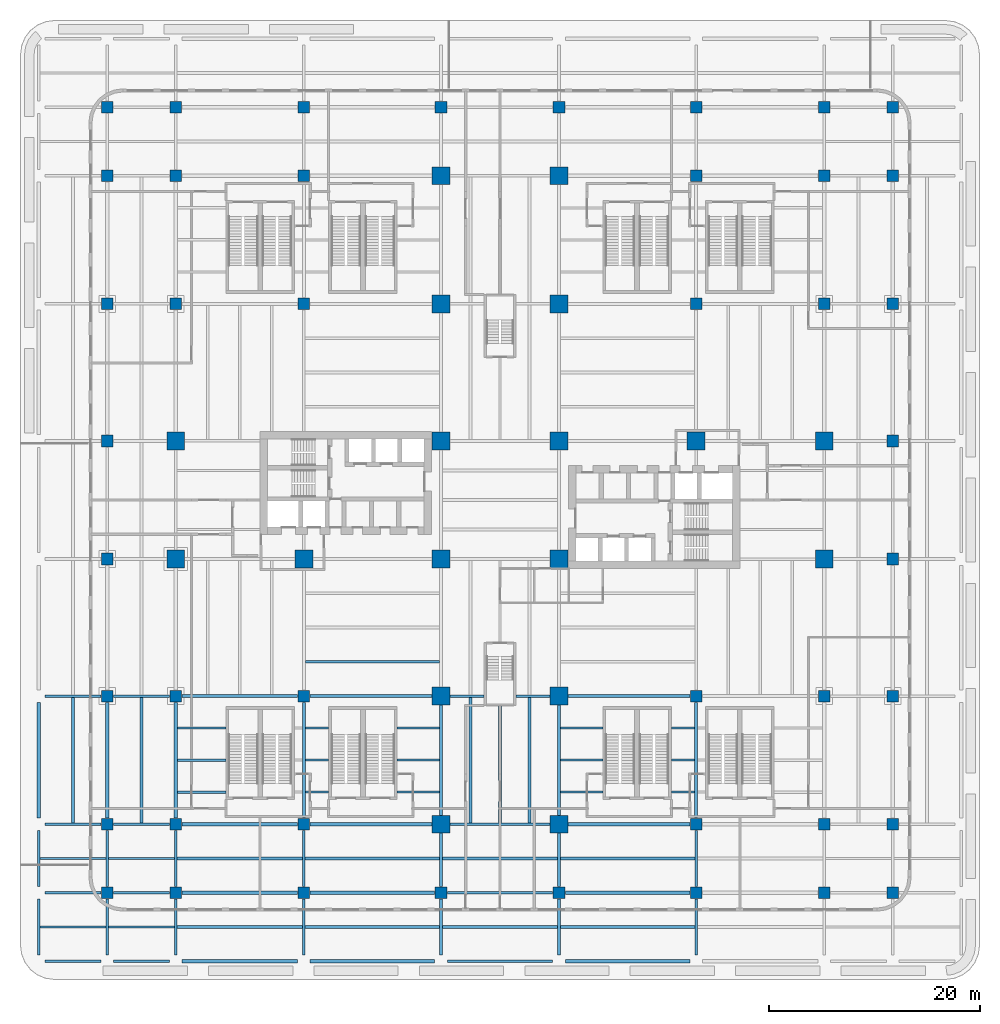
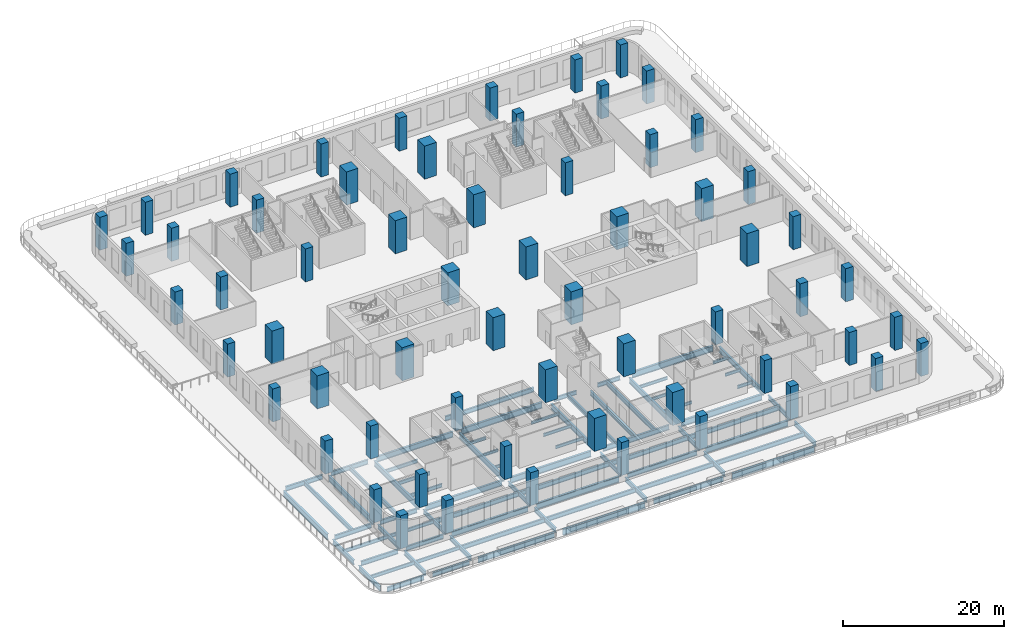
# One storey, part 1 of 18: 79 beams, 62 columns.
"""IFC4 building model written with IfcOpenShell, lengths in metres."""

from ifc_helpers import new_model, si_unit, direction, frame, origin, origin_2d, place, context, subcontext, project, spatial, rectangle, i_section, extrude, source, transform, mapped, material, material_profile, profile_set, type_object, element, save


model = new_model("IFC4")

# Units and contexts
model_context = context("Model", 3, precision=1e-05, world=origin(), true_north=direction((0.0, 1.0)))
body_context = subcontext(model_context, "Body", "Model", "MODEL_VIEW")
ifc_project = project(units=[si_unit("LENGTHUNIT", "METRE"), si_unit("AREAUNIT", "SQUARE_METRE"), si_unit("VOLUMEUNIT", "CUBIC_METRE"), si_unit("PLANEANGLEUNIT", "RADIAN"), si_unit("MASSUNIT", "GRAM", prefix="KILO")], contexts=[model_context])

# Site, building, storey
site_placement = place(None, origin())
site = spatial("IfcSite", under=ifc_project, at=site_placement, CompositionType="ELEMENT")
building_placement = place(site_placement, origin())
building = spatial("IfcBuilding", under=site, at=building_placement, Name="Trellis Farm Tower", CompositionType="ELEMENT")
storey_placement = place(building_placement, frame((0.0, 0.0, 14.0)))
storey = spatial("IfcBuildingStorey", under=building, at=storey_placement, Name="L02", CompositionType="ELEMENT", Elevation=14.0)

# Columns
ifc_material_1 = material(Name="Concrete C80/95", Category="concrete")
ifc_material_profile_1 = material_profile(ifc_material_1, rectangle(XDim=1.699951171875, YDim=1.699951171875, at=origin_2d()), Name="RC column 1700x1700 C80/95")
ifc_profile_set_1 = profile_set([ifc_material_profile_1], Name="Concrete C80/95")
column_type_1 = type_object("IfcColumnType", Name="RC column 1700x1700 C80/95", PredefinedType="COLUMN", material=ifc_profile_set_1)
shared_shape_1 = source(origin(), body_context, "Body", "SweptSolid", [
    extrude(rectangle(XDim=1.699951171875, YDim=1.699951171875, at=origin_2d()), origin(), (0.0, 0.0, 1.0), 5.0),
])
for number, where, z_axis, x_axis, name in (
    (1, (5.60009765625, 5.60009765625, 0.0), (0.0, 0.0, 1.0), (1.0, 0.0, 0.0), "Column"),
    (2, (5.60009765625, 18.60009765625, 0.0), (0.0, 0.0, 1.0), (1.0, 0.0, 0.0), "Column"),
    (3, (5.60009765625, 30.75, 0.0), (0.0, 0.0, 1.0), (1.0, 0.0, 0.0), "Column"),
    (4, (5.60009765625, -5.60009765625, 0.0), (0.0, 0.0, 1.0), (1.0, 0.0, 0.0), "Column"),
    (5, (5.60009765625, -18.60009765625, 0.0), (0.0, 0.0, 1.0), (1.0, 0.0, 0.0), "Column"),
    (6, (5.60009765625, -30.75, 0.0), (0.0, 0.0, 1.0), (1.0, 0.0, 0.0), "Column"),
    (7, (18.60009765625, 5.60009765625, 0.0), (0.0, 0.0, 1.0), (1.0, 0.0, 0.0), "Column"),
    (8, (30.75, 5.60009765625, 0.0), (0.0, 0.0, 1.0), (1.0, 0.0, 0.0), "Column"),
    (9, (30.75, -5.60009765625, 0.0), (0.0, 0.0, 1.0), (1.0, 0.0, 0.0), "Column"),
    (10, (-5.60009765625, 5.60009765625, 0.0), (0.0, 0.0, 1.0), (1.0, 0.0, 0.0), "Column"),
    (11, (-5.60009765625, 18.60009765625, 0.0), (0.0, 0.0, 1.0), (1.0, 0.0, 0.0), "Column"),
    (12, (-5.60009765625, 30.75, 0.0), (0.0, 0.0, 1.0), (1.0, 0.0, 0.0), "Column"),
    (13, (-5.60009765625, -5.60009765625, 0.0), (0.0, 0.0, 1.0), (1.0, 0.0, 0.0), "Column"),
    (14, (-5.60009765625, -18.60009765625, 0.0), (0.0, 0.0, 1.0), (1.0, 0.0, 0.0), "Column"),
    (15, (-5.60009765625, -30.75, 0.0), (0.0, 0.0, 1.0), (1.0, 0.0, 0.0), "Column"),
    (16, (-18.60009765625, -5.60009765625, 0.0), (0.0, 0.0, 1.0), (1.0, 0.0, 0.0), "Column"),
    (17, (-30.75, 5.60009765625, 0.0), (0.0, 0.0, 1.0), (1.0, 0.0, 0.0), "Column"),
    (18, (-30.75, -5.60009765625, 0.0), (0.0, 0.0, 1.0), (1.0, 0.0, 0.0), "Column"),
):
    element("IfcColumn", number, at=place(storey_placement, frame(where, z_axis=z_axis, x_axis=x_axis)), inside=storey, type_object=column_type_1, Name=name, PredefinedType="COLUMN", context=body_context, shape_type="MappedRepresentation", body=[
        mapped(shared_shape_1, transform((0.0, 0.0, 0.0))),
    ])
ifc_material_2 = material(Name="Concrete C60/75", Category="concrete")
ifc_material_profile_2 = material_profile(ifc_material_2, rectangle(XDim=1.10009765625, YDim=1.10009765625, at=origin_2d()), Name="RC column 1100x1100 C60/75")
ifc_profile_set_2 = profile_set([ifc_material_profile_2], Name="Concrete C60/75")
column_type_2 = type_object("IfcColumnType", Name="RC column 1100x1100 C60/75", PredefinedType="COLUMN", material=ifc_profile_set_2)
shared_shape_2 = source(origin(), body_context, "Body", "SweptSolid", [
    extrude(rectangle(XDim=1.10009765625, YDim=1.10009765625, at=origin_2d()), origin(), (0.0, 0.0, 1.0), 5.0),
])
for number, where, z_axis, x_axis, name in (
    (19, (5.60009765625, 37.25, 0.0), (0.0, 0.0, 1.0), (1.0, 0.0, 0.0), "Column"),
    (20, (5.60009765625, -37.25, 0.0), (0.0, 0.0, 1.0), (1.0, 0.0, 0.0), "Column"),
    (21, (18.60009765625, 18.60009765625, 0.0), (0.0, 0.0, 1.0), (1.0, 0.0, 0.0), "Column"),
    (22, (18.60009765625, 30.75, 0.0), (0.0, 0.0, 1.0), (1.0, 0.0, 0.0), "Column"),
    (23, (18.60009765625, 37.25, 0.0), (0.0, 0.0, 1.0), (1.0, 0.0, 0.0), "Column"),
    (24, (18.60009765625, -18.60009765625, 0.0), (0.0, 0.0, 1.0), (1.0, 0.0, 0.0), "Column"),
    (25, (18.60009765625, -30.75, 0.0), (0.0, 0.0, 1.0), (1.0, 0.0, 0.0), "Column"),
    (26, (18.60009765625, -37.25, 0.0), (0.0, 0.0, 1.0), (1.0, 0.0, 0.0), "Column"),
    (27, (30.75, 18.60009765625, 0.0), (0.0, 0.0, 1.0), (1.0, 0.0, 0.0), "Column"),
    (28, (30.75, 30.75, 0.0), (0.0, 0.0, 1.0), (1.0, 0.0, 0.0), "Column"),
    (29, (30.75, 37.25, 0.0), (0.0, 0.0, 1.0), (1.0, 0.0, 0.0), "Column"),
    (30, (30.75, -18.60009765625, 0.0), (0.0, 0.0, 1.0), (1.0, 0.0, 0.0), "Column"),
    (31, (30.75, -30.75, 0.0), (0.0, 0.0, 1.0), (1.0, 0.0, 0.0), "Column"),
    (32, (30.75, -37.25, 0.0), (0.0, 0.0, 1.0), (1.0, 0.0, 0.0), "Column"),
    (33, (37.25, 5.60009765625, 0.0), (0.0, 0.0, 1.0), (1.0, 0.0, 0.0), "Column"),
    (34, (37.25, 18.60009765625, 0.0), (0.0, 0.0, 1.0), (1.0, 0.0, 0.0), "Column"),
    (35, (37.25, 30.75, 0.0), (0.0, 0.0, 1.0), (1.0, 0.0, 0.0), "Column"),
    (36, (37.25, 37.25, 0.0), (0.0, 0.0, 1.0), (1.0, 0.0, 0.0), "Column"),
    (37, (37.25, -5.60009765625, 0.0), (0.0, 0.0, 1.0), (1.0, 0.0, 0.0), "Column"),
    (38, (37.25, -18.60009765625, 0.0), (0.0, 0.0, 1.0), (1.0, 0.0, 0.0), "Column"),
    (39, (37.25, -30.75, 0.0), (0.0, 0.0, 1.0), (1.0, 0.0, 0.0), "Column"),
    (40, (37.25, -37.25, 0.0), (0.0, 0.0, 1.0), (1.0, 0.0, 0.0), "Column"),
    (41, (-5.60009765625, 37.25, 0.0), (0.0, 0.0, 1.0), (1.0, 0.0, 0.0), "Column"),
    (42, (-5.60009765625, -37.25, 0.0), (0.0, 0.0, 1.0), (1.0, 0.0, 0.0), "Column"),
    (43, (-18.60009765625, 18.60009765625, 0.0), (0.0, 0.0, 1.0), (1.0, 0.0, 0.0), "Column"),
    (44, (-18.60009765625, 30.75, 0.0), (0.0, 0.0, 1.0), (1.0, 0.0, 0.0), "Column"),
    (45, (-18.60009765625, 37.25, 0.0), (0.0, 0.0, 1.0), (1.0, 0.0, 0.0), "Column"),
    (46, (-18.60009765625, -18.60009765625, 0.0), (0.0, 0.0, 1.0), (1.0, 0.0, 0.0), "Column"),
    (47, (-18.60009765625, -30.75, 0.0), (0.0, 0.0, 1.0), (1.0, 0.0, 0.0), "Column"),
    (48, (-18.60009765625, -37.25, 0.0), (0.0, 0.0, 1.0), (1.0, 0.0, 0.0), "Column"),
    (49, (-30.75, 18.60009765625, 0.0), (0.0, 0.0, 1.0), (1.0, 0.0, 0.0), "Column"),
    (50, (-30.75, 30.75, 0.0), (0.0, 0.0, 1.0), (1.0, 0.0, 0.0), "Column"),
    (51, (-30.75, 37.25, 0.0), (0.0, 0.0, 1.0), (1.0, 0.0, 0.0), "Column"),
    (52, (-30.75, -18.60009765625, 0.0), (0.0, 0.0, 1.0), (1.0, 0.0, 0.0), "Column"),
    (53, (-30.75, -30.75, 0.0), (0.0, 0.0, 1.0), (1.0, 0.0, 0.0), "Column"),
    (54, (-30.75, -37.25, 0.0), (0.0, 0.0, 1.0), (1.0, 0.0, 0.0), "Column"),
    (55, (-37.25, 5.60009765625, 0.0), (0.0, 0.0, 1.0), (1.0, 0.0, 0.0), "Column"),
    (56, (-37.25, 18.60009765625, 0.0), (0.0, 0.0, 1.0), (1.0, 0.0, 0.0), "Column"),
    (57, (-37.25, 30.75, 0.0), (0.0, 0.0, 1.0), (1.0, 0.0, 0.0), "Column"),
    (58, (-37.25, 37.25, 0.0), (0.0, 0.0, 1.0), (1.0, 0.0, 0.0), "Column"),
    (59, (-37.25, -5.60009765625, 0.0), (0.0, 0.0, 1.0), (1.0, 0.0, 0.0), "Column"),
    (60, (-37.25, -18.60009765625, 0.0), (0.0, 0.0, 1.0), (1.0, 0.0, 0.0), "Column"),
    (61, (-37.25, -30.75, 0.0), (0.0, 0.0, 1.0), (1.0, 0.0, 0.0), "Column"),
    (62, (-37.25, -37.25, 0.0), (0.0, 0.0, 1.0), (1.0, 0.0, 0.0), "Column"),
):
    element("IfcColumn", number, at=place(storey_placement, frame(where, z_axis=z_axis, x_axis=x_axis)), inside=storey, type_object=column_type_2, Name=name, PredefinedType="COLUMN", context=body_context, shape_type="MappedRepresentation", body=[
        mapped(shared_shape_2, transform((0.0, 0.0, 0.0))),
    ])

# Beams
ifc_material_3 = material(Name="Steel S355", Category="steel")
ifc_material_profile_3 = material_profile(ifc_material_3, i_section(OverallWidth=0.253662109375, OverallDepth=0.68359375, WebThickness=0.012451171875, FlangeThickness=0.021728515625, FilletRadius=0.01513671875, at=origin_2d()), Name="UB 686x254x140")
ifc_profile_set_3 = profile_set([ifc_material_profile_3], Name="Steel S355")
beam_type_1 = type_object("IfcBeamType", Name="UB 686x254x140", PredefinedType="BEAM", material=ifc_profile_set_3)
shared_shape_3 = source(origin(), body_context, "Body", "SweptSolid", [
    extrude(i_section(OverallWidth=0.253662109375, OverallDepth=0.68359375, WebThickness=0.012451171875, FlangeThickness=0.021728515625, FilletRadius=0.01513671875, at=origin_2d()), origin(), (0.0, 0.0, 1.0), 5.2998046875),
])
for number, where, z_axis, x_axis, name in (
    (63, (-43.14990234375, -43.75, -0.641845703125), (1.0, 0.0, 0.0), (0.0, 1.0, 0.0), "Girder"),
    (64, (-36.64990234375, -43.75, -0.641845703125), (1.0, 0.0, 0.0), (0.0, 1.0, 0.0), "Girder"),
    (65, (-43.14990234375, -37.25, -0.641845703125), (1.0, 0.0, 0.0), (0.0, 1.0, 0.0), "Girder"),
    (66, (-36.64990234375, -37.25, -0.641845703125), (1.0, 0.0, 0.0), (0.0, 1.0, 0.0), "Girder"),
    (67, (-43.14990234375, -30.75, -0.641845703125), (1.0, 0.0, 0.0), (0.0, 1.0, 0.0), "Girder"),
    (68, (-36.64990234375, -30.75, -0.641845703125), (1.0, 0.0, 0.0), (0.0, 1.0, 0.0), "Girder"),
    (69, (-43.14990234375, -18.60009765625, -0.641845703125), (1.0, 0.0, 0.0), (0.0, 1.0, 0.0), "Girder"),
    (70, (-36.64990234375, -18.60009765625, -0.641845703125), (1.0, 0.0, 0.0), (0.0, 1.0, 0.0), "Girder"),
    (71, (-43.75, -43.14990234375, -0.641845703125), (0.0, 1.0, 0.0), (-1.0, 0.0, 0.0), "Girder"),
    (72, (-43.75, -36.64990234375, -0.641845703125), (0.0, 1.0, 0.0), (-1.0, 0.0, 0.0), "Girder"),
    (73, (-37.25, -43.14990234375, -0.641845703125), (0.0, 1.0, 0.0), (-1.0, 0.0, 0.0), "Girder"),
    (74, (-37.25, -36.64990234375, -0.641845703125), (0.0, 1.0, 0.0), (-1.0, 0.0, 0.0), "Girder"),
    (75, (-30.75, -43.14990234375, -0.641845703125), (0.0, 1.0, 0.0), (-1.0, 0.0, 0.0), "Girder"),
    (76, (-30.75, -36.64990234375, -0.641845703125), (0.0, 1.0, 0.0), (-1.0, 0.0, 0.0), "Girder"),
    (77, (-18.60009765625, -43.14990234375, -0.641845703125), (0.0, 1.0, 0.0), (-1.0, 0.0, 0.0), "Girder"),
    (78, (-18.60009765625, -36.64990234375, -0.641845703125), (0.0, 1.0, 0.0), (-1.0, 0.0, 0.0), "Girder"),
    (79, (-5.60009765625, -43.14990234375, -0.641845703125), (0.0, 1.0, 0.0), (-1.0, 0.0, 0.0), "Girder"),
    (80, (5.60009765625, -43.14990234375, -0.641845703125), (0.0, 1.0, 0.0), (-1.0, 0.0, 0.0), "Girder"),
    (81, (18.60009765625, -43.14990234375, -0.641845703125), (0.0, 1.0, 0.0), (-1.0, 0.0, 0.0), "Girder"),
    (82, (18.60009765625, -36.64990234375, -0.641845703125), (0.0, 1.0, 0.0), (-1.0, 0.0, 0.0), "Girder"),
):
    element("IfcBeam", number, at=place(storey_placement, frame(where, z_axis=z_axis, x_axis=x_axis)), inside=storey, type_object=beam_type_1, Name=name, PredefinedType="BEAM", context=body_context, shape_type="MappedRepresentation", body=[
        mapped(shared_shape_3, transform((0.0, 0.0, 0.0))),
    ])
ifc_material_profile_4 = material_profile(ifc_material_3, i_section(OverallWidth=0.305419921875, OverallDepth=0.91845703125, WebThickness=0.017333984375, FlangeThickness=0.02783203125, FilletRadius=0.01904296875, at=origin_2d()), Name="UB 914x305x253")
ifc_profile_set_4 = profile_set([ifc_material_profile_4], Name="Steel S355")
beam_type_2 = type_object("IfcBeamType", Name="UB 914x305x253", PredefinedType="BEAM", material=ifc_profile_set_4)
shared_shape_4 = source(origin(), body_context, "Body", "SweptSolid", [
    extrude(i_section(OverallWidth=0.305419921875, OverallDepth=0.91845703125, WebThickness=0.017333984375, FlangeThickness=0.02783203125, FilletRadius=0.01904296875, at=origin_2d()), origin(), (0.0, 0.0, 1.0), 11.800048828125),
])
for number, where, z_axis, x_axis, name in (
    (83, (-18.0, -43.75, -0.75927734375), (1.0, 0.0, 0.0), (0.0, 1.0, 0.0), "Girder"),
    (84, (6.199951171875, -43.75, -0.75927734375), (1.0, 0.0, 0.0), (0.0, 1.0, 0.0), "Girder"),
    (85, (-18.0, -37.25, -0.75927734375), (1.0, 0.0, 0.0), (0.0, 1.0, 0.0), "Girder"),
    (86, (6.199951171875, -37.25, -0.75927734375), (1.0, 0.0, 0.0), (0.0, 1.0, 0.0), "Girder"),
):
    element("IfcBeam", number, at=place(storey_placement, frame(where, z_axis=z_axis, x_axis=x_axis)), inside=storey, type_object=beam_type_2, Name=name, PredefinedType="BEAM", context=body_context, shape_type="MappedRepresentation", body=[
        mapped(shared_shape_4, transform((0.0, 0.0, 0.0))),
    ])
ifc_material_profile_5 = material_profile(ifc_material_3, i_section(OverallWidth=0.29248046875, OverallDepth=0.8408203125, WebThickness=0.0146484375, FlangeThickness=0.021728515625, FilletRadius=0.017822265625, at=origin_2d()), Name="UB 838x292x194")
ifc_profile_set_5 = profile_set([ifc_material_profile_5], Name="Steel S355")
beam_type_3 = type_object("IfcBeamType", Name="UB 838x292x194", PredefinedType="BEAM", material=ifc_profile_set_5)
shared_shape_5 = source(origin(), body_context, "Body", "SweptSolid", [
    extrude(i_section(OverallWidth=0.29248046875, OverallDepth=0.8408203125, WebThickness=0.0146484375, FlangeThickness=0.021728515625, FilletRadius=0.017822265625, at=origin_2d()), origin(), (0.0, 0.0, 1.0), 10.949951171875),
])
for number, where, z_axis, x_axis, name in (
    (87, (-30.14990234375, -43.75, -0.72021484375), (1.0, 0.0, 0.0), (0.0, 1.0, 0.0), "Girder"),
    (88, (-30.14990234375, -37.25, -0.72021484375), (1.0, 0.0, 0.0), (0.0, 1.0, 0.0), "Girder"),
    (89, (-30.14990234375, -30.75, -0.72021484375), (1.0, 0.0, 0.0), (0.0, 1.0, 0.0), "Girder"),
    (90, (-30.14990234375, -18.60009765625, -0.72021484375), (1.0, 0.0, 0.0), (0.0, 1.0, 0.0), "Girder"),
    (91, (-43.75, -30.14990234375, -0.72021484375), (0.0, 1.0, 0.0), (-1.0, 0.0, 0.0), "Girder"),
    (92, (-37.25, -30.14990234375, -0.72021484375), (0.0, 1.0, 0.0), (-1.0, 0.0, 0.0), "Girder"),
    (93, (-30.75, -30.14990234375, -0.72021484375), (0.0, 1.0, 0.0), (-1.0, 0.0, 0.0), "Girder"),
    (94, (-18.60009765625, -30.14990234375, -0.72021484375), (0.0, 1.0, 0.0), (-1.0, 0.0, 0.0), "Girder"),
    (95, (18.60009765625, -30.14990234375, -0.72021484375), (0.0, 1.0, 0.0), (-1.0, 0.0, 0.0), "Girder"),
):
    element("IfcBeam", number, at=place(storey_placement, frame(where, z_axis=z_axis, x_axis=x_axis)), inside=storey, type_object=beam_type_3, Name=name, PredefinedType="BEAM", context=body_context, shape_type="MappedRepresentation", body=[
        mapped(shared_shape_5, transform((0.0, 0.0, 0.0))),
    ])
ifc_material_profile_6 = material_profile(ifc_material_3, i_section(OverallWidth=0.2666015625, OverallDepth=0.76220703125, WebThickness=0.014404296875, FlangeThickness=0.021484375, FilletRadius=0.0166015625, at=origin_2d()), Name="UB 762x267x173")
ifc_profile_set_6 = profile_set([ifc_material_profile_6], Name="Steel S355")
beam_type_4 = type_object("IfcBeamType", Name="UB 762x267x173", PredefinedType="BEAM", material=ifc_profile_set_6)
shared_shape_6 = source(origin(), body_context, "Body", "SweptSolid", [
    extrude(i_section(OverallWidth=0.2666015625, OverallDepth=0.76220703125, WebThickness=0.014404296875, FlangeThickness=0.021484375, FilletRadius=0.0166015625, at=origin_2d()), origin(), (0.0, 0.0, 1.0), 10.0),
])
for number, where, z_axis, x_axis, name in (
    (96, (-5.0, -43.75, -0.68115234375), (1.0, 0.0, 0.0), (0.0, 1.0, 0.0), "Girder"),
    (97, (-5.0, -37.25, -0.68115234375), (1.0, 0.0, 0.0), (0.0, 1.0, 0.0), "Girder"),
):
    element("IfcBeam", number, at=place(storey_placement, frame(where, z_axis=z_axis, x_axis=x_axis)), inside=storey, type_object=beam_type_4, Name=name, PredefinedType="BEAM", context=body_context, shape_type="MappedRepresentation", body=[
        mapped(shared_shape_6, transform((0.0, 0.0, 0.0))),
    ])
shared_shape_7 = source(origin(), body_context, "Body", "SweptSolid", [
    extrude(i_section(OverallWidth=0.305419921875, OverallDepth=0.91845703125, WebThickness=0.017333984375, FlangeThickness=0.02783203125, FilletRadius=0.01904296875, at=origin_2d()), origin(), (0.0, 0.0, 1.0), 11.550048828125),
])
for number, where, z_axis, x_axis, name in (
    (98, (-18.0, -30.75, -0.75927734375), (1.0, 0.0, 0.0), (0.0, 1.0, 0.0), "Girder"),
    (99, (6.449951171875, -30.75, -0.75927734375), (1.0, 0.0, 0.0), (0.0, 1.0, 0.0), "Girder"),
    (100, (-18.0, -18.60009765625, -0.75927734375), (1.0, 0.0, 0.0), (0.0, 1.0, 0.0), "Girder"),
    (101, (6.449951171875, -18.60009765625, -0.75927734375), (1.0, 0.0, 0.0), (0.0, 1.0, 0.0), "Girder"),
):
    element("IfcBeam", number, at=place(storey_placement, frame(where, z_axis=z_axis, x_axis=x_axis)), inside=storey, type_object=beam_type_2, Name=name, PredefinedType="BEAM", context=body_context, shape_type="MappedRepresentation", body=[
        mapped(shared_shape_7, transform((0.0, 0.0, 0.0))),
    ])
ifc_material_profile_7 = material_profile(ifc_material_3, i_section(OverallWidth=0.22900390625, OverallDepth=0.6123046875, WebThickness=0.011962890625, FlangeThickness=0.01953125, FilletRadius=0.0126953125, at=origin_2d()), Name="UB 610x229x125")
ifc_profile_set_7 = profile_set([ifc_material_profile_7], Name="Steel S355")
beam_type_5 = type_object("IfcBeamType", Name="UB 610x229x125", PredefinedType="BEAM", material=ifc_profile_set_7)
shared_shape_8 = source(origin(), body_context, "Body", "SweptSolid", [
    extrude(i_section(OverallWidth=0.22900390625, OverallDepth=0.6123046875, WebThickness=0.011962890625, FlangeThickness=0.01953125, FilletRadius=0.0126953125, at=origin_2d()), origin(), (0.0, 0.0, 1.0), 3.25),
])
for number, where, z_axis, x_axis, name in (
    (102, (-4.75, -18.60009765625, -0.606201171875), (1.0, 0.0, 0.0), (0.0, 1.0, 0.0), "Girder"),
    (103, (1.5, -18.60009765625, -0.606201171875), (1.0, 0.0, 0.0), (0.0, 1.0, 0.0), "Girder"),
):
    element("IfcBeam", number, at=place(storey_placement, frame(where, z_axis=z_axis, x_axis=x_axis)), inside=storey, type_object=beam_type_5, Name=name, PredefinedType="BEAM", context=body_context, shape_type="MappedRepresentation", body=[
        mapped(shared_shape_8, transform((0.0, 0.0, 0.0))),
    ])
shared_shape_9 = source(origin(), body_context, "Body", "SweptSolid", [
    extrude(i_section(OverallWidth=0.2666015625, OverallDepth=0.76220703125, WebThickness=0.014404296875, FlangeThickness=0.021484375, FilletRadius=0.0166015625, at=origin_2d()), origin(), (0.0, 0.0, 1.0), 9.5),
])
beam_1_placement = place(storey_placement, frame((-4.75, -30.75, -0.68115234375), z_axis=(1.0, 0.0, 0.0), x_axis=(0.0, 1.0, 0.0)))
element("IfcBeam", 104, at=beam_1_placement, inside=storey, type_object=beam_type_4, Name="Girder", PredefinedType="BEAM", context=body_context, shape_type="MappedRepresentation", body=[
    mapped(shared_shape_9, transform((0.0, 0.0, 0.0))),
])
shared_shape_10 = source(origin(), body_context, "Body", "SweptSolid", [
    extrude(i_section(OverallWidth=0.253662109375, OverallDepth=0.68359375, WebThickness=0.012451171875, FlangeThickness=0.021728515625, FilletRadius=0.01513671875, at=origin_2d()), origin(), (0.0, 0.0, 1.0), 5.0498046875),
])
for number, where, z_axis, x_axis, name in (
    (105, (-5.60009765625, -36.64990234375, -0.641845703125), (0.0, 1.0, 0.0), (-1.0, 0.0, 0.0), "Girder"),
    (106, (5.60009765625, -36.64990234375, -0.641845703125), (0.0, 1.0, 0.0), (-1.0, 0.0, 0.0), "Girder"),
):
    element("IfcBeam", number, at=place(storey_placement, frame(where, z_axis=z_axis, x_axis=x_axis)), inside=storey, type_object=beam_type_1, Name=name, PredefinedType="BEAM", context=body_context, shape_type="MappedRepresentation", body=[
        mapped(shared_shape_10, transform((0.0, 0.0, 0.0))),
    ])
shared_shape_11 = source(origin(), body_context, "Body", "SweptSolid", [
    extrude(i_section(OverallWidth=0.29248046875, OverallDepth=0.8408203125, WebThickness=0.0146484375, FlangeThickness=0.021728515625, FilletRadius=0.017822265625, at=origin_2d()), origin(), (0.0, 0.0, 1.0), 10.449951171875),
])
for number, where, z_axis, x_axis, name in (
    (107, (-5.60009765625, -29.89990234375, -0.72021484375), (0.0, 1.0, 0.0), (-1.0, 0.0, 0.0), "Girder"),
    (108, (5.60009765625, -29.89990234375, -0.72021484375), (0.0, 1.0, 0.0), (-1.0, 0.0, 0.0), "Girder"),
):
    element("IfcBeam", number, at=place(storey_placement, frame(where, z_axis=z_axis, x_axis=x_axis)), inside=storey, type_object=beam_type_3, Name=name, PredefinedType="BEAM", context=body_context, shape_type="MappedRepresentation", body=[
        mapped(shared_shape_11, transform((0.0, 0.0, 0.0))),
    ])
ifc_material_profile_8 = material_profile(ifc_material_3, i_section(OverallWidth=0.253662109375, OverallDepth=0.68359375, WebThickness=0.012451171875, FlangeThickness=0.021728515625, FilletRadius=0.01513671875, at=origin_2d()), Name="UB 686x254x140")
ifc_profile_set_8 = profile_set([ifc_material_profile_8], Name="Steel S355")
beam_type_6 = type_object("IfcBeamType", Name="UB 686x254x140 joist", PredefinedType="JOIST", material=ifc_profile_set_8)
shared_shape_12 = source(origin(), body_context, "Body", "SweptSolid", [
    extrude(i_section(OverallWidth=0.253662109375, OverallDepth=0.68359375, WebThickness=0.012451171875, FlangeThickness=0.021728515625, FilletRadius=0.01513671875, at=origin_2d()), origin(), (0.0, 0.0, 1.0), 12.746337890625),
])
for number, where, z_axis, x_axis, name in (
    (109, (-18.47314453125, -40.5, -0.641845703125), (1.0, 0.0, 0.0), (0.0, 1.0, 0.0), "Floor beam"),
    (110, (5.726806640625, -40.5, -0.641845703125), (1.0, 0.0, 0.0), (0.0, 1.0, 0.0), "Floor beam"),
    (111, (-18.47314453125, -34.0, -0.641845703125), (1.0, 0.0, 0.0), (0.0, 1.0, 0.0), "Floor beam"),
    (112, (5.726806640625, -34.0, -0.641845703125), (1.0, 0.0, 0.0), (0.0, 1.0, 0.0), "Floor beam"),
):
    element("IfcBeam", number, at=place(storey_placement, frame(where, z_axis=z_axis, x_axis=x_axis)), inside=storey, type_object=beam_type_6, Name=name, PredefinedType="JOIST", context=body_context, shape_type="MappedRepresentation", body=[
        mapped(shared_shape_12, transform((0.0, 0.0, 0.0))),
    ])
shared_shape_13 = source(origin(), body_context, "Body", "SweptSolid", [
    extrude(i_section(OverallWidth=0.253662109375, OverallDepth=0.68359375, WebThickness=0.012451171875, FlangeThickness=0.021728515625, FilletRadius=0.01513671875, at=origin_2d()), origin(), (0.0, 0.0, 1.0), 11.896240234375),
])
for number, where, z_axis, x_axis, name in (
    (113, (-30.623046875, -40.5, -0.641845703125), (1.0, 0.0, 0.0), (0.0, 1.0, 0.0), "Floor beam"),
    (114, (-30.623046875, -34.0, -0.641845703125), (1.0, 0.0, 0.0), (0.0, 1.0, 0.0), "Floor beam"),
    (115, (-40.5, -30.623046875, -0.641845703125), (0.0, 1.0, 0.0), (-1.0, 0.0, 0.0), "Floor beam"),
    (116, (-34.0, -30.623046875, -0.641845703125), (0.0, 1.0, 0.0), (-1.0, 0.0, 0.0), "Floor beam"),
):
    element("IfcBeam", number, at=place(storey_placement, frame(where, z_axis=z_axis, x_axis=x_axis)), inside=storey, type_object=beam_type_6, Name=name, PredefinedType="JOIST", context=body_context, shape_type="MappedRepresentation", body=[
        mapped(shared_shape_13, transform((0.0, 0.0, 0.0))),
    ])
ifc_material_profile_9 = material_profile(ifc_material_3, i_section(OverallWidth=0.209228515625, OverallDepth=0.533203125, WebThickness=0.010009765625, FlangeThickness=0.015625, FilletRadius=0.0126953125, at=origin_2d()), Name="UB 533x210x92")
ifc_profile_set_9 = profile_set([ifc_material_profile_9], Name="Steel S355")
beam_type_7 = type_object("IfcBeamType", Name="UB 533x210x92 joist", PredefinedType="JOIST", material=ifc_profile_set_9)
shared_shape_14 = source(origin(), body_context, "Body", "SweptSolid", [
    extrude(i_section(OverallWidth=0.209228515625, OverallDepth=0.533203125, WebThickness=0.010009765625, FlangeThickness=0.015625, FilletRadius=0.0126953125, at=origin_2d()), origin(), (0.0, 0.0, 1.0), 6.246337890625),
])
for number, where, z_axis, x_axis, name in (
    (117, (-37.123291015625, -40.5, -0.566650390625), (1.0, 0.0, 0.0), (0.0, 1.0, 0.0), "Floor beam"),
    (118, (-37.123291015625, -34.0, -0.566650390625), (1.0, 0.0, 0.0), (0.0, 1.0, 0.0), "Floor beam"),
):
    element("IfcBeam", number, at=place(storey_placement, frame(where, z_axis=z_axis, x_axis=x_axis)), inside=storey, type_object=beam_type_7, Name=name, PredefinedType="JOIST", context=body_context, shape_type="MappedRepresentation", body=[
        mapped(shared_shape_14, transform((0.0, 0.0, 0.0))),
    ])
shared_shape_15 = source(origin(), body_context, "Body", "SweptSolid", [
    extrude(i_section(OverallWidth=0.209228515625, OverallDepth=0.533203125, WebThickness=0.010009765625, FlangeThickness=0.015625, FilletRadius=0.0126953125, at=origin_2d()), origin(), (0.0, 0.0, 1.0), 6.24658203125),
])
for number, where, z_axis, x_axis, name in (
    (119, (-43.623291015625, -40.5, -0.566650390625), (1.0, 0.0, 0.0), (0.0, 1.0, 0.0), "Floor beam"),
    (120, (-43.623291015625, -34.0, -0.566650390625), (1.0, 0.0, 0.0), (0.0, 1.0, 0.0), "Floor beam"),
):
    element("IfcBeam", number, at=place(storey_placement, frame(where, z_axis=z_axis, x_axis=x_axis)), inside=storey, type_object=beam_type_7, Name=name, PredefinedType="JOIST", context=body_context, shape_type="MappedRepresentation", body=[
        mapped(shared_shape_15, transform((0.0, 0.0, 0.0))),
    ])
shared_shape_16 = source(origin(), body_context, "Body", "SweptSolid", [
    extrude(i_section(OverallWidth=0.253662109375, OverallDepth=0.68359375, WebThickness=0.012451171875, FlangeThickness=0.021728515625, FilletRadius=0.01513671875, at=origin_2d()), origin(), (0.0, 0.0, 1.0), 10.9462890625),
])
for number, where, z_axis, x_axis, name in (
    (121, (-5.47314453125, -40.5, -0.641845703125), (1.0, 0.0, 0.0), (0.0, 1.0, 0.0), "Floor beam"),
    (122, (-5.47314453125, -34.0, -0.641845703125), (1.0, 0.0, 0.0), (0.0, 1.0, 0.0), "Floor beam"),
):
    element("IfcBeam", number, at=place(storey_placement, frame(where, z_axis=z_axis, x_axis=x_axis)), inside=storey, type_object=beam_type_6, Name=name, PredefinedType="JOIST", context=body_context, shape_type="MappedRepresentation", body=[
        mapped(shared_shape_16, transform((0.0, 0.0, 0.0))),
    ])
ifc_material_profile_10 = material_profile(ifc_material_3, i_section(OverallWidth=0.1904296875, OverallDepth=0.45703125, WebThickness=0.009033203125, FlangeThickness=0.014404296875, FilletRadius=0.01025390625, at=origin_2d()), Name="UB 457x191x74")
ifc_profile_set_10 = profile_set([ifc_material_profile_10], Name="Steel S355")
beam_type_8 = type_object("IfcBeamType", Name="UB 457x191x74 joist", PredefinedType="JOIST", material=ifc_profile_set_10)
shared_shape_17 = source(origin(), body_context, "Body", "SweptSolid", [
    extrude(i_section(OverallWidth=0.1904296875, OverallDepth=0.45703125, WebThickness=0.009033203125, FlangeThickness=0.014404296875, FilletRadius=0.01025390625, at=origin_2d()), origin(), (0.0, 0.0, 1.0), 4.00390625),
])
for number, where, z_axis, x_axis, name in (
    (123, (-9.75, -27.71240234375, -0.528564453125), (1.0, 0.0, 0.0), (0.0, 1.0, 0.0), "Floor beam"),
    (124, (5.74609375, -27.71240234375, -0.528564453125), (1.0, 0.0, 0.0), (0.0, 1.0, 0.0), "Floor beam"),
    (125, (-9.75, -24.675048828125, -0.528564453125), (1.0, 0.0, 0.0), (0.0, 1.0, 0.0), "Floor beam"),
    (126, (5.74609375, -24.675048828125, -0.528564453125), (1.0, 0.0, 0.0), (0.0, 1.0, 0.0), "Floor beam"),
    (127, (-9.75, -21.637451171875, -0.528564453125), (1.0, 0.0, 0.0), (0.0, 1.0, 0.0), "Floor beam"),
    (128, (5.74609375, -21.637451171875, -0.528564453125), (1.0, 0.0, 0.0), (0.0, 1.0, 0.0), "Floor beam"),
):
    element("IfcBeam", number, at=place(storey_placement, frame(where, z_axis=z_axis, x_axis=x_axis)), inside=storey, type_object=beam_type_8, Name=name, PredefinedType="JOIST", context=body_context, shape_type="MappedRepresentation", body=[
        mapped(shared_shape_17, transform((0.0, 0.0, 0.0))),
    ])
shared_shape_18 = source(origin(), body_context, "Body", "SweptSolid", [
    extrude(i_section(OverallWidth=0.1904296875, OverallDepth=0.45703125, WebThickness=0.009033203125, FlangeThickness=0.014404296875, FilletRadius=0.01025390625, at=origin_2d()), origin(), (0.0, 0.0, 1.0), 2.203857421875),
])
for number, where, z_axis, x_axis, name in (
    (129, (-18.453857421875, -27.71240234375, -0.528564453125), (1.0, 0.0, 0.0), (0.0, 1.0, 0.0), "Floor beam"),
    (130, (16.25, -27.71240234375, -0.528564453125), (1.0, 0.0, 0.0), (0.0, 1.0, 0.0), "Floor beam"),
    (131, (-18.453857421875, -24.675048828125, -0.528564453125), (1.0, 0.0, 0.0), (0.0, 1.0, 0.0), "Floor beam"),
    (132, (16.25, -24.675048828125, -0.528564453125), (1.0, 0.0, 0.0), (0.0, 1.0, 0.0), "Floor beam"),
    (133, (-18.453857421875, -21.637451171875, -0.528564453125), (1.0, 0.0, 0.0), (0.0, 1.0, 0.0), "Floor beam"),
    (134, (16.25, -21.637451171875, -0.528564453125), (1.0, 0.0, 0.0), (0.0, 1.0, 0.0), "Floor beam"),
):
    element("IfcBeam", number, at=place(storey_placement, frame(where, z_axis=z_axis, x_axis=x_axis)), inside=storey, type_object=beam_type_8, Name=name, PredefinedType="JOIST", context=body_context, shape_type="MappedRepresentation", body=[
        mapped(shared_shape_18, transform((0.0, 0.0, 0.0))),
    ])
shared_shape_19 = source(origin(), body_context, "Body", "SweptSolid", [
    extrude(i_section(OverallWidth=0.209228515625, OverallDepth=0.533203125, WebThickness=0.010009765625, FlangeThickness=0.015625, FilletRadius=0.0126953125, at=origin_2d()), origin(), (0.0, 0.0, 1.0), 4.603759765625),
])
for number, where, z_axis, x_axis, name in (
    (135, (-30.603759765625, -27.71240234375, -0.566650390625), (1.0, 0.0, 0.0), (0.0, 1.0, 0.0), "Floor beam"),
    (136, (-30.603759765625, -24.675048828125, -0.566650390625), (1.0, 0.0, 0.0), (0.0, 1.0, 0.0), "Floor beam"),
    (137, (-30.603759765625, -21.637451171875, -0.566650390625), (1.0, 0.0, 0.0), (0.0, 1.0, 0.0), "Floor beam"),
):
    element("IfcBeam", number, at=place(storey_placement, frame(where, z_axis=z_axis, x_axis=x_axis)), inside=storey, type_object=beam_type_7, Name=name, PredefinedType="JOIST", context=body_context, shape_type="MappedRepresentation", body=[
        mapped(shared_shape_19, transform((0.0, 0.0, 0.0))),
    ])
shared_shape_20 = source(origin(), body_context, "Body", "SweptSolid", [
    extrude(i_section(OverallWidth=0.253662109375, OverallDepth=0.68359375, WebThickness=0.012451171875, FlangeThickness=0.021728515625, FilletRadius=0.01513671875, at=origin_2d()), origin(), (0.0, 0.0, 1.0), 12.694580078125),
])
beam_2_placement = place(storey_placement, frame((-18.447265625, -15.35009765625, -0.641845703125), z_axis=(1.0, 0.0, 0.0), x_axis=(0.0, 1.0, 0.0)))
element("IfcBeam", 138, at=beam_2_placement, inside=storey, type_object=beam_type_6, Name="Floor beam", PredefinedType="JOIST", context=body_context, shape_type="MappedRepresentation", body=[
    mapped(shared_shape_20, transform((0.0, 0.0, 0.0))),
])
shared_shape_21 = source(origin(), body_context, "Body", "SweptSolid", [
    extrude(i_section(OverallWidth=0.253662109375, OverallDepth=0.68359375, WebThickness=0.012451171875, FlangeThickness=0.021728515625, FilletRadius=0.01513671875, at=origin_2d()), origin(), (0.0, 0.0, 1.0), 11.902099609375),
])
for number, where, z_axis, x_axis, name in (
    (139, (-2.800048828125, -30.61669921875, -0.641845703125), (0.0, 1.0, 0.0), (-1.0, 0.0, 0.0), "Floor beam"),
    (140, (2.800048828125, -30.61669921875, -0.641845703125), (0.0, 1.0, 0.0), (-1.0, 0.0, 0.0), "Floor beam"),
):
    element("IfcBeam", number, at=place(storey_placement, frame(where, z_axis=z_axis, x_axis=x_axis)), inside=storey, type_object=beam_type_6, Name=name, PredefinedType="JOIST", context=body_context, shape_type="MappedRepresentation", body=[
        mapped(shared_shape_21, transform((0.0, 0.0, 0.0))),
    ])
shared_shape_22 = source(origin(), body_context, "Body", "SweptSolid", [
    extrude(i_section(OverallWidth=0.253662109375, OverallDepth=0.68359375, WebThickness=0.012451171875, FlangeThickness=0.021728515625, FilletRadius=0.01513671875, at=origin_2d()), origin(), (0.0, 0.0, 1.0), 11.11669921875),
])
beam_3_placement = place(storey_placement, frame((0.0, -30.61669921875, -0.641845703125), z_axis=(0.0, 1.0, 0.0), x_axis=(-1.0, 0.0, 0.0)))
element("IfcBeam", 141, at=beam_3_placement, inside=storey, type_object=beam_type_6, Name="Floor beam", PredefinedType="JOIST", context=body_context, shape_type="MappedRepresentation", body=[
    mapped(shared_shape_22, transform((0.0, 0.0, 0.0))),
])

save(model, "model.ifc")
